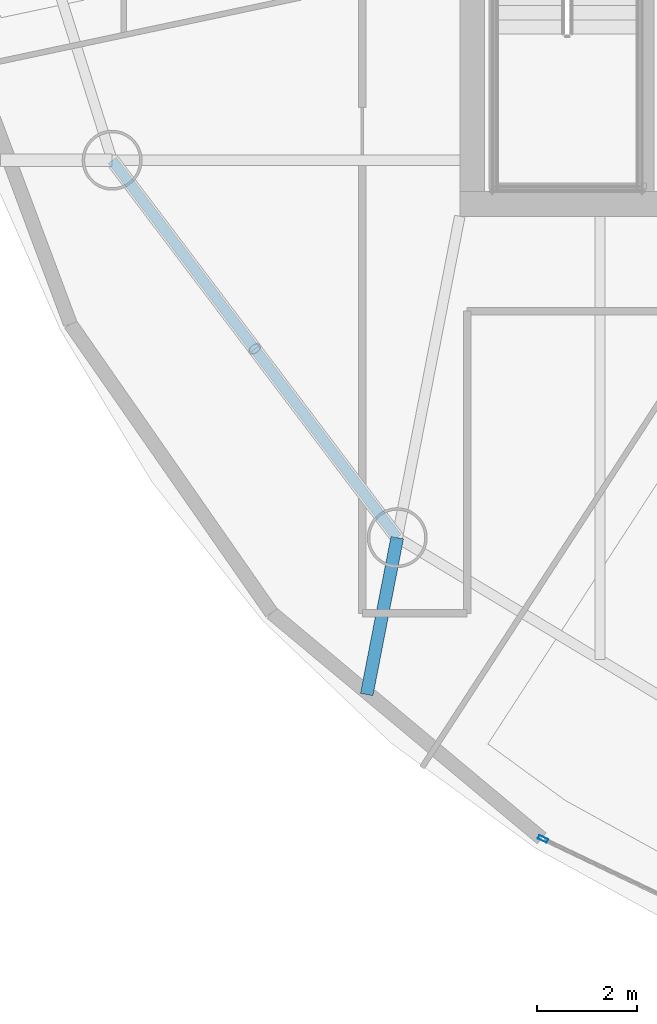
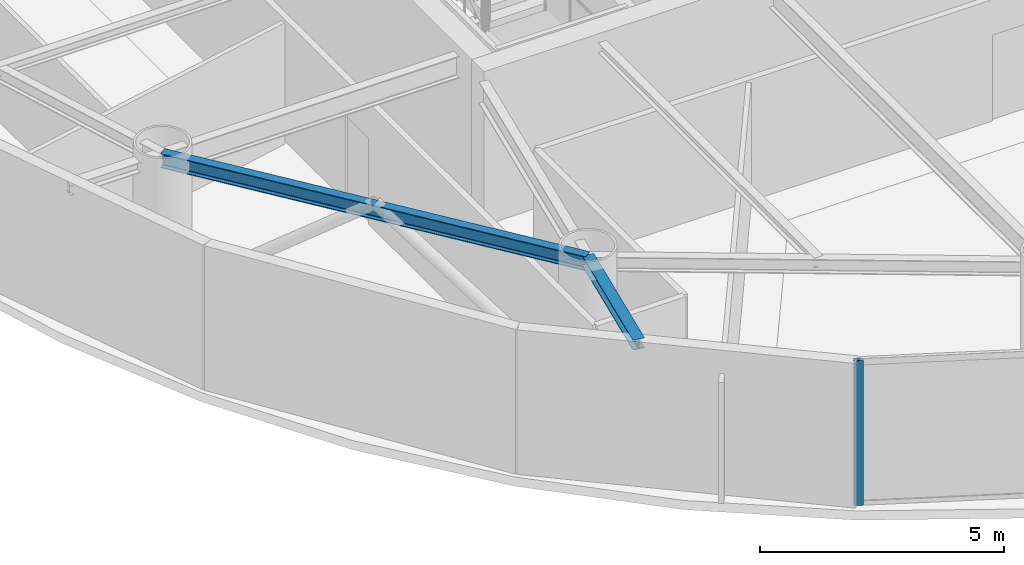
# One storey, part 2 of 22: 2 beams, 1 member, 1 element without a shape of its own.
"""IFC4 building model written with IfcOpenShell, lengths in metres."""

from ifc_helpers import new_model, si_unit, direction, frame, origin, origin_2d, place, context, subcontext, project, spatial, hollow_rectangle, i_section, extrude, material, layer, layer_set, material_profile, profile_set, type_object, element, aggregate, save


model = new_model("IFC4")

# Units and contexts
model_context = context("Model", 3, precision=1e-05, world=origin(), true_north=direction((0.0, 1.0)))
body_context = subcontext(model_context, "Body", "Model", "MODEL_VIEW")
ifc_project = project(units=[si_unit("LENGTHUNIT", "METRE"), si_unit("AREAUNIT", "SQUARE_METRE"), si_unit("VOLUMEUNIT", "CUBIC_METRE"), si_unit("PLANEANGLEUNIT", "RADIAN"), si_unit("MASSUNIT", "GRAM", prefix="KILO")], contexts=[model_context])

# Site, building, storey
site_placement = place(None, origin())
site = spatial("IfcSite", under=ifc_project, at=site_placement, CompositionType="ELEMENT")
building_placement = place(site_placement, origin())
building = spatial("IfcBuilding", under=site, at=building_placement, Name="Bramvorn Convention Spire", CompositionType="ELEMENT")
storey_placement = place(building_placement, frame((0.0, 0.0, 221.25)))
storey = spatial("IfcBuildingStorey", under=building, at=storey_placement, Name="L56", CompositionType="ELEMENT", Elevation=221.25)

# Beams
ifc_material_1 = material(Name="Steel CSA G40.21 Grade 350 (350W)", Category="steel")
ifc_material_profile_1 = material_profile(ifc_material_1, i_section(OverallWidth=0.25390625, OverallDepth=0.2529296875, WebThickness=0.008544921875, FlangeThickness=0.01416015625, FilletRadius=0.011962890625, at=origin_2d()))
ifc_profile_set_1 = profile_set([ifc_material_profile_1], Name="Steel CSA G40.21 Grade 350 (350W) - W250X73")
beam_type_1 = type_object("IfcBeamType", Name="BM-W250X73", PredefinedType="BEAM", material=ifc_profile_set_1)
beam_1_placement = place(storey_placement, frame((25.498046875, 12.114990234375, 3.493408203125), z_axis=(-0.190977895588, -0.981594337492, 0.0), x_axis=(0.981594337492, -0.190977895588, 0.0)))
element("IfcBeam", 1, at=beam_1_placement, inside=storey, type_object=beam_type_1, Name="L56 slab-edge cantilever tip beam MC13", PredefinedType="BEAM", context=body_context, shape_type="SweptSolid", body=[
    extrude(i_section(OverallWidth=0.25390625, OverallDepth=0.2529296875, WebThickness=0.008544921875, FlangeThickness=0.01416015625, FilletRadius=0.011962890625, at=origin_2d()), origin(), (0.0, 0.0, 1.0), 3.19970703125),
])
ifc_material_profile_2 = material_profile(ifc_material_1, i_section(OverallWidth=0.205078125, OverallDepth=0.35400390625, WebThickness=0.009521484375, FlangeThickness=0.016845703125, FilletRadius=0.014892578125, at=origin_2d()))
ifc_profile_set_2 = profile_set([ifc_material_profile_2], Name="Steel CSA G40.21 Grade 350 (350W) - W360X79")
beam_type_2 = type_object("IfcBeamType", Name="BM-W360X79", PredefinedType="JOIST", material=ifc_profile_set_2)
beam_2_placement = place(storey_placement, frame((19.78955078125, 19.672607421875, 3.443115234375), z_axis=(0.602718581414, -0.797953827999, 0.0), x_axis=(0.797953827999, 0.602718581414, 0.0)))
element("IfcBeam", 2, at=beam_2_placement, inside=storey, type_object=beam_type_2, Name="L56 mega-column ring beam 12", PredefinedType="JOIST", context=body_context, shape_type="SweptSolid", body=[
    extrude(i_section(OverallWidth=0.205078125, OverallDepth=0.35400390625, WebThickness=0.009521484375, FlangeThickness=0.016845703125, FilletRadius=0.014892578125, at=origin_2d()), origin(), (0.0, 0.0, 1.0), 9.47119140625),
])

# Curtain wall, member
ifc_material_2 = material(Name="Anodised Bronze Unitised Curtain Wall", Category="aluminium")
ifc_layer = layer(ifc_material_2, 0.179931640625)
ifc_layer_set = layer_set([ifc_layer], Name="Anodised Bronze Unitised Curtain Wall - CW-OFF-FRIT")
curtain_wall_type = type_object("IfcCurtainWallType", Name="CW-OFF-FRIT", PredefinedType="USERDEFINED", material=ifc_layer_set)
curtain_wall_placement = place(storey_placement, origin())
curtain_wall = element("IfcCurtainWall", 3, at=curtain_wall_placement, inside=storey, type_object=curtain_wall_type, Name="L56 fritted glass curtain wall 20", ObjectType="UNITISED CURTAIN WALL", PredefinedType="USERDEFINED")
ifc_material_3 = material(Name="Anodised Bronze Aluminium 6063-T6", Category="aluminium")
ifc_material_profile_3 = material_profile(ifc_material_3, hollow_rectangle(XDim=0.080078125, YDim=0.199951171875, WallThickness=0.00390625, InnerFilletRadius=0.0009765625, OuterFilletRadius=0.00390625, at=origin_2d()))
ifc_profile_set_3 = profile_set([ifc_material_profile_3], Name="Anodised Bronze Aluminium 6063-T6 - CWM80X200")
member_type = type_object("IfcMemberType", Name="CW-MUL-180", PredefinedType="MULLION", material=ifc_profile_set_3)
member_placement = place(storey_placement, frame((28.4169921875, 6.08203125, 0.0), z_axis=(0.0, 0.0, 1.0), x_axis=(-0.430659156923, -0.90251464839, 0.0)))
member = element("IfcMember", 4, at=member_placement, type_object=member_type, Name="CW3 mullion 2", PredefinedType="MULLION", context=body_context, shape_type="SweptSolid", body=[
    extrude(hollow_rectangle(XDim=0.080078125, YDim=0.199951171875, WallThickness=0.00390625, InnerFilletRadius=0.0009765625, OuterFilletRadius=0.00390625, at=origin_2d()), origin(), (0.0, 0.0, 1.0), 3.6201171875),
])
aggregate(curtain_wall, [member])

save(model, "model.ifc")
